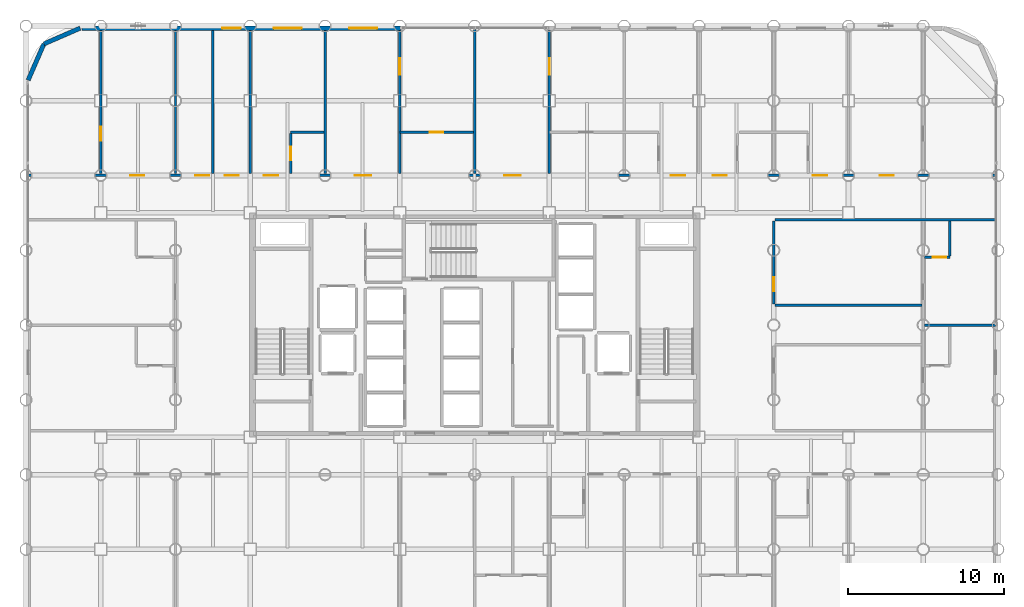
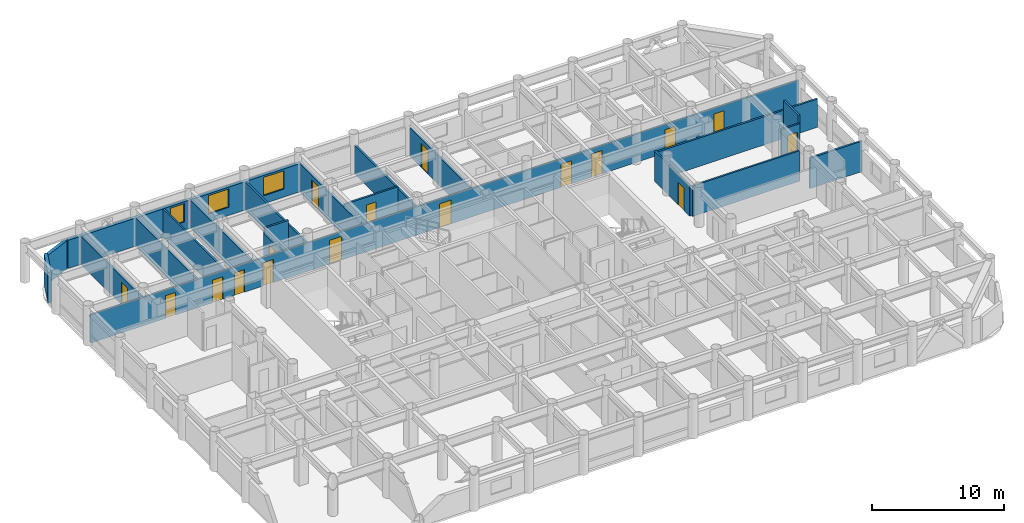
# One storey, part 18 of 20: 21 walls, 17 doors, 3 windows, 20 openings.
"""IFC4 building model written with IfcOpenShell, lengths in metres."""

from ifc_helpers import new_model, si_unit, direction, frame, frame_2d, origin, place, context, subcontext, project, spatial, rectangle, extrude, material, layer, layer_set, type_object, element, fill, save


model = new_model("IFC4")

# Units and contexts
model_context = context("Model", 3, precision=1e-05, world=origin(), true_north=direction((0.0, 1.0)))
body_context = subcontext(model_context, "Body", "Model", "MODEL_VIEW")
ifc_project = project(units=[si_unit("LENGTHUNIT", "METRE"), si_unit("AREAUNIT", "SQUARE_METRE"), si_unit("VOLUMEUNIT", "CUBIC_METRE"), si_unit("PLANEANGLEUNIT", "RADIAN"), si_unit("MASSUNIT", "GRAM", prefix="KILO")], contexts=[model_context])

# Site, building, storey
site_placement = place(None, origin())
site = spatial("IfcSite", under=ifc_project, at=site_placement, CompositionType="ELEMENT")
building_placement = place(site_placement, origin())
building = spatial("IfcBuilding", under=site, at=building_placement, Name="Kallvorn Hotel Tower", CompositionType="ELEMENT")
storey_placement = place(building_placement, frame((0.0, 0.0, 70.699951171875)))
storey = spatial("IfcBuildingStorey", under=building, at=storey_placement, Name="L16", CompositionType="ELEMENT", Elevation=70.699951171875)

# Wall
ifc_material_1 = material(Name="Fire-rated double-layer acoustic gypsum drywall EI 60")
ifc_layer_1 = layer(ifc_material_1, 0.159912109375)
ifc_layer_set_1 = layer_set([ifc_layer_1], Name="WL_DEMISE_160")
wall_type_1 = type_object("IfcWallType", Name="WL_DEMISE_160", PredefinedType="PARTITIONING", material=ifc_layer_set_1)
wall_1_placement = place(storey_placement, frame((28.8798828125, 0.0, 0.0), z_axis=(0.0, 0.0, 1.0), x_axis=(1.0, 0.0, 0.0)))
element("IfcWall", 1, at=wall_1_placement, inside=storey, type_object=wall_type_1, Name="L16 Suite 1604 E Andean Twin Room Partition", PredefinedType="PARTITIONING", context=body_context, shape_type="SweptSolid", body=[
    extrude(rectangle(XDim=4.550048828125, YDim=0.159912109375, at=frame_2d((2.27490234375, 0.0))), origin(), (0.0, 0.0, 1.0), 2.820068359375),
])

# Wall, opening, door
wall_2_placement = place(storey_placement, frame((28.8798828125, 4.35009765625, 0.0), z_axis=(0.0, 0.0, 1.0), x_axis=(1.0, 0.0, 0.0)))
wall_2 = element("IfcWall", 2, at=wall_2_placement, inside=storey, type_object=wall_type_1, Name="L16 Suite 1604 E Andean Twin Room Partition", PredefinedType="PARTITIONING", context=body_context, shape_type="SweptSolid", body=[
    extrude(rectangle(XDim=1.6201171875, YDim=0.159912109375, at=frame_2d((0.81005859375, 0.0))), origin(), (0.0, 0.0, 1.0), 2.820068359375),
])
opening_1_placement = place(wall_2_placement, frame((0.5400390625, 0.0, 0.0)))
opening_1 = element("IfcOpeningElement", 3, at=opening_1_placement, cuts=wall_2, Name="Opening BD-I", PredefinedType="OPENING", context=body_context, shape_type="SweptSolid", body=[
    extrude(rectangle(XDim=0.860107421875, YDim=2.10009765625, at=frame_2d((0.43017578125, 1.050048828125))), frame((0.0, 0.094970703125, 0.0), z_axis=(0.0, -1.0, 0.0), x_axis=(1.0, 0.0, 0.0)), (0.0, 0.0, 1.0), 0.18994140625),
])
ifc_material_2 = material(Name="Solid-core walnut veneer fire-rated timber door leaf", Category="wood")
door_type_1 = type_object("IfcDoorType", Name="DR_BATH_860x2100", OperationType="NOTDEFINED", PredefinedType="DOOR", material=ifc_material_2)
door_1_placement = place(opening_1_placement, origin())
door_1 = element("IfcDoor", 4, at=door_1_placement, inside=storey, type_object=door_type_1, Name="L16 Suite 1604 En-Suite Bathroom Door", OperationType="SINGLE_SWING_LEFT", OverallHeight=2.10009765625, OverallWidth=0.860107421875, PredefinedType="DOOR", context=body_context, shape_type="SweptSolid", body=[
    extrude(rectangle(XDim=0.860107421875, YDim=2.10009765625, at=frame_2d((0.43017578125, 1.050048828125))), frame((0.0, 0.02490234375, 0.0), z_axis=(0.0, -1.0, 0.0), x_axis=(1.0, 0.0, 0.0)), (0.0, 0.0, 1.0), 0.050048828125),
])
fill(opening_1, door_1)

# Wall
wall_3_placement = place(storey_placement, frame((19.280029296875, 6.75830078125, 0.0), z_axis=(0.0, 0.0, 1.0), x_axis=(1.0, 0.0, 0.0)))
element("IfcWall", 5, at=wall_3_placement, inside=storey, type_object=wall_type_1, Name="L16 Suite 1604 E Andean Twin Room Partition", PredefinedType="PARTITIONING", context=body_context, shape_type="SweptSolid", body=[
    extrude(rectangle(XDim=14.14990234375, YDim=0.159912109375, at=frame_2d((7.074951171875, 0.0))), origin(), (0.0, 0.0, 1.0), 2.6201171875),
])

# Wall, openings, doors
wall_4_placement = place(storey_placement, frame((-28.6298828125, 9.60009765625, 0.0), z_axis=(0.0, 0.0, 1.0), x_axis=(1.0, 0.0, 0.0)))
wall_4 = element("IfcWall", 6, at=wall_4_placement, inside=storey, type_object=wall_type_1, Name="L16 Suite 1609 Standard Twin Room Partition", PredefinedType="PARTITIONING", context=body_context, shape_type="SweptSolid", body=[
    extrude(rectangle(XDim=62.059814453125, YDim=0.159912109375, at=frame_2d((31.02978515625, 0.0))), origin(), (0.0, 0.0, 1.0), 2.6201171875),
])
opening_2_placement = place(wall_4_placement, frame((6.5400390625, 0.0, 0.0)))
opening_2 = element("IfcOpeningElement", 7, at=opening_2_placement, cuts=wall_4, Name="Opening SVD1", PredefinedType="OPENING", context=body_context, shape_type="SweptSolid", body=[
    extrude(rectangle(XDim=0.89990234375, YDim=2.10009765625, at=frame_2d((0.449951171875, 1.050048828125))), frame((0.0, 0.094970703125, 0.0), z_axis=(0.0, -1.0, 0.0), x_axis=(1.0, 0.0, 0.0)), (0.0, 0.0, 1.0), 0.18994140625),
])
opening_3_placement = place(wall_4_placement, frame((54.6201171875, 0.0, 0.0)))
opening_3 = element("IfcOpeningElement", 8, at=opening_3_placement, cuts=wall_4, Name="Opening SVD1", PredefinedType="OPENING", context=body_context, shape_type="SweptSolid", body=[
    extrude(rectangle(XDim=0.89990234375, YDim=2.10009765625, at=frame_2d((0.449951171875, 1.050048828125))), frame((0.0, 0.094970703125, 0.0), z_axis=(0.0, -1.0, 0.0), x_axis=(1.0, 0.0, 0.0)), (0.0, 0.0, 1.0), 0.18994140625),
])
opening_4_placement = place(wall_4_placement, frame((10.68994140625, 0.0, 0.0)))
opening_4 = element("IfcOpeningElement", 9, at=opening_4_placement, cuts=wall_4, Name="Opening SVD1", PredefinedType="OPENING", context=body_context, shape_type="SweptSolid", body=[
    extrude(rectangle(XDim=0.89990234375, YDim=2.10009765625, at=frame_2d((0.449951171875, 1.050048828125))), frame((0.0, 0.094970703125, 0.0), z_axis=(0.0, -1.0, 0.0), x_axis=(1.0, 0.0, 0.0)), (0.0, 0.0, 1.0), 0.18994140625),
])
opening_5_placement = place(wall_4_placement, frame((12.580078125, 0.0, 0.0)))
opening_5 = element("IfcOpeningElement", 10, at=opening_5_placement, cuts=wall_4, Name="Opening SVD1", PredefinedType="OPENING", context=body_context, shape_type="SweptSolid", body=[
    extrude(rectangle(XDim=0.89990234375, YDim=2.10009765625, at=frame_2d((0.449951171875, 1.050048828125))), frame((0.0, 0.094970703125, 0.0), z_axis=(0.0, -1.0, 0.0), x_axis=(1.0, 0.0, 0.0)), (0.0, 0.0, 1.0), 0.18994140625),
])
opening_6_placement = place(wall_4_placement, frame((15.10498046875, 0.0, 0.0)))
opening_6 = element("IfcOpeningElement", 11, at=opening_6_placement, cuts=wall_4, Name="Opening GD1", PredefinedType="OPENING", context=body_context, shape_type="SweptSolid", body=[
    extrude(rectangle(XDim=0.919921875, YDim=2.14990234375, at=frame_2d((0.4599609375, 1.074951171875))), frame((0.0, 0.094970703125, 0.0), z_axis=(0.0, -1.0, 0.0), x_axis=(1.0, 0.0, 0.0)), (0.0, 0.0, 1.0), 0.18994140625),
])
opening_7_placement = place(wall_4_placement, frame((20.945068359375, 0.0, 0.0)))
opening_7 = element("IfcOpeningElement", 12, at=opening_7_placement, cuts=wall_4, Name="Opening GD2", PredefinedType="OPENING", context=body_context, shape_type="SweptSolid", body=[
    extrude(rectangle(XDim=1.050048828125, YDim=2.199951171875, at=frame_2d((0.52490234375, 1.10009765625))), frame((0.0, 0.094970703125, 0.0), z_axis=(0.0, -1.0, 0.0), x_axis=(1.0, 0.0, 0.0)), (0.0, 0.0, 1.0), 0.18994140625),
])
opening_8_placement = place(wall_4_placement, frame((30.544921875, 0.0, 0.0)))
opening_8 = element("IfcOpeningElement", 13, at=opening_8_placement, cuts=wall_4, Name="Opening GD2", PredefinedType="OPENING", context=body_context, shape_type="SweptSolid", body=[
    extrude(rectangle(XDim=1.050048828125, YDim=2.199951171875, at=frame_2d((0.52490234375, 1.10009765625))), frame((0.0, 0.094970703125, 0.0), z_axis=(0.0, -1.0, 0.0), x_axis=(1.0, 0.0, 0.0)), (0.0, 0.0, 1.0), 0.18994140625),
])
opening_9_placement = place(wall_4_placement, frame((41.235107421875, 0.0, 0.0)))
opening_9 = element("IfcOpeningElement", 14, at=opening_9_placement, cuts=wall_4, Name="Opening GD1", PredefinedType="OPENING", context=body_context, shape_type="SweptSolid", body=[
    extrude(rectangle(XDim=0.919921875, YDim=2.14990234375, at=frame_2d((0.4599609375, 1.074951171875))), frame((0.0, 0.094970703125, 0.0), z_axis=(0.0, -1.0, 0.0), x_axis=(1.0, 0.0, 0.0)), (0.0, 0.0, 1.0), 0.18994140625),
])
opening_10_placement = place(wall_4_placement, frame((43.905029296875, 0.0, 0.0)))
opening_10 = element("IfcOpeningElement", 15, at=opening_10_placement, cuts=wall_4, Name="Opening GD1", PredefinedType="OPENING", context=body_context, shape_type="SweptSolid", body=[
    extrude(rectangle(XDim=0.919921875, YDim=2.14990234375, at=frame_2d((0.4599609375, 1.074951171875))), frame((0.0, 0.094970703125, 0.0), z_axis=(0.0, -1.0, 0.0), x_axis=(1.0, 0.0, 0.0)), (0.0, 0.0, 1.0), 0.18994140625),
])
opening_11_placement = place(wall_4_placement, frame((50.340087890625, 0.0, 0.0)))
opening_11 = element("IfcOpeningElement", 16, at=opening_11_placement, cuts=wall_4, Name="Opening GD1", PredefinedType="OPENING", context=body_context, shape_type="SweptSolid", body=[
    extrude(rectangle(XDim=0.919921875, YDim=2.14990234375, at=frame_2d((0.4599609375, 1.074951171875))), frame((0.0, 0.094970703125, 0.0), z_axis=(0.0, -1.0, 0.0), x_axis=(1.0, 0.0, 0.0)), (0.0, 0.0, 1.0), 0.18994140625),
])
ifc_material_3 = material(Name="Solid-core walnut veneer fire-rated timber door leaf", Category="wood")
door_type_2 = type_object("IfcDoorType", Name="DR_GUEST_920x2150", OperationType="NOTDEFINED", PredefinedType="DOOR", material=ifc_material_3)
door_2_placement = place(opening_6_placement, origin())
door_2 = element("IfcDoor", 17, at=door_2_placement, inside=storey, type_object=door_type_2, Name="L16 Suite 1609 Standard Twin Room Door", OperationType="SINGLE_SWING_LEFT", OverallHeight=2.14990234375, OverallWidth=0.919921875, PredefinedType="DOOR", context=body_context, shape_type="SweptSolid", body=[
    extrude(rectangle(XDim=0.919921875, YDim=2.14990234375, at=frame_2d((0.4599609375, 1.074951171875))), frame((0.0, 0.02490234375, 0.0), z_axis=(0.0, -1.0, 0.0), x_axis=(1.0, 0.0, 0.0)), (0.0, 0.0, 1.0), 0.050048828125),
])
fill(opening_6, door_2)
door_3_placement = place(opening_9_placement, origin())
door_3 = element("IfcDoor", 18, at=door_3_placement, inside=storey, type_object=door_type_2, Name="L16 Suite 1612 Standard Twin Room Door", OperationType="SINGLE_SWING_LEFT", OverallHeight=2.14990234375, OverallWidth=0.919921875, PredefinedType="DOOR", context=body_context, shape_type="SweptSolid", body=[
    extrude(rectangle(XDim=0.919921875, YDim=2.14990234375, at=frame_2d((0.4599609375, 1.074951171875))), frame((0.0, 0.02490234375, 0.0), z_axis=(0.0, -1.0, 0.0), x_axis=(1.0, 0.0, 0.0)), (0.0, 0.0, 1.0), 0.050048828125),
])
fill(opening_9, door_3)
door_4_placement = place(opening_10_placement, origin())
door_4 = element("IfcDoor", 19, at=door_4_placement, inside=storey, type_object=door_type_2, Name="L16 Suite 1613 Standard Twin Room Door", OperationType="SINGLE_SWING_LEFT", OverallHeight=2.14990234375, OverallWidth=0.919921875, PredefinedType="DOOR", context=body_context, shape_type="SweptSolid", body=[
    extrude(rectangle(XDim=0.919921875, YDim=2.14990234375, at=frame_2d((0.4599609375, 1.074951171875))), frame((0.0, 0.02490234375, 0.0), z_axis=(0.0, -1.0, 0.0), x_axis=(1.0, 0.0, 0.0)), (0.0, 0.0, 1.0), 0.050048828125),
])
fill(opening_10, door_4)
door_5_placement = place(opening_11_placement, origin())
door_5 = element("IfcDoor", 20, at=door_5_placement, inside=storey, type_object=door_type_2, Name="L16 Suite 1614 Standard Twin Room Door", OperationType="SINGLE_SWING_RIGHT", OverallHeight=2.14990234375, OverallWidth=0.919921875, PredefinedType="DOOR", context=body_context, shape_type="SweptSolid", body=[
    extrude(rectangle(XDim=0.919921875, YDim=2.14990234375, at=frame_2d((0.4599609375, 1.074951171875))), frame((0.0, 0.02490234375, 0.0), z_axis=(0.0, -1.0, 0.0), x_axis=(1.0, 0.0, 0.0)), (0.0, 0.0, 1.0), 0.050048828125),
])
fill(opening_11, door_5)
ifc_material_4 = material(Name="Galvanised painted steel fire-rated door assembly", Category="steel")
door_type_3 = type_object("IfcDoorType", Name="DR_SERV_900x2100", OperationType="NOTDEFINED", PredefinedType="DOOR", material=ifc_material_4)
door_6_placement = place(opening_2_placement, origin())
door_6 = element("IfcDoor", 21, at=door_6_placement, inside=storey, type_object=door_type_3, Name="L16 L16 North-West Fitness Gymnasium B Door", OperationType="SINGLE_SWING_LEFT", OverallHeight=2.10009765625, OverallWidth=0.89990234375, PredefinedType="DOOR", context=body_context, shape_type="SweptSolid", body=[
    extrude(rectangle(XDim=0.89990234375, YDim=2.10009765625, at=frame_2d((0.449951171875, 1.050048828125))), frame((0.0, 0.02490234375, 0.0), z_axis=(0.0, -1.0, 0.0), x_axis=(1.0, 0.0, 0.0)), (0.0, 0.0, 1.0), 0.050048828125),
])
fill(opening_2, door_6)
door_7_placement = place(opening_3_placement, origin())
door_7 = element("IfcDoor", 22, at=door_7_placement, inside=storey, type_object=door_type_3, Name="L16 L16 North-East Reading Club A Door", OperationType="SINGLE_SWING_LEFT", OverallHeight=2.10009765625, OverallWidth=0.89990234375, PredefinedType="DOOR", context=body_context, shape_type="SweptSolid", body=[
    extrude(rectangle(XDim=0.89990234375, YDim=2.10009765625, at=frame_2d((0.449951171875, 1.050048828125))), frame((0.0, 0.02490234375, 0.0), z_axis=(0.0, -1.0, 0.0), x_axis=(1.0, 0.0, 0.0)), (0.0, 0.0, 1.0), 0.050048828125),
])
fill(opening_3, door_7)
door_8_placement = place(opening_4_placement, origin())
door_8 = element("IfcDoor", 23, at=door_8_placement, inside=storey, type_object=door_type_3, Name="L16 Housekeeping and Linen Room Door", OperationType="SINGLE_SWING_RIGHT", OverallHeight=2.10009765625, OverallWidth=0.89990234375, PredefinedType="DOOR", context=body_context, shape_type="SweptSolid", body=[
    extrude(rectangle(XDim=0.89990234375, YDim=2.10009765625, at=frame_2d((0.449951171875, 1.050048828125))), frame((0.0, 0.02490234375, 0.0), z_axis=(0.0, -1.0, 0.0), x_axis=(1.0, 0.0, 0.0)), (0.0, 0.0, 1.0), 0.050048828125),
])
fill(opening_4, door_8)
door_9_placement = place(opening_5_placement, origin())
door_9 = element("IfcDoor", 24, at=door_9_placement, inside=storey, type_object=door_type_3, Name="L16 Guest Tea and Refreshment Bar Door", OperationType="SINGLE_SWING_LEFT", OverallHeight=2.10009765625, OverallWidth=0.89990234375, PredefinedType="DOOR", context=body_context, shape_type="SweptSolid", body=[
    extrude(rectangle(XDim=0.89990234375, YDim=2.10009765625, at=frame_2d((0.449951171875, 1.050048828125))), frame((0.0, 0.02490234375, 0.0), z_axis=(0.0, -1.0, 0.0), x_axis=(1.0, 0.0, 0.0)), (0.0, 0.0, 1.0), 0.050048828125),
])
fill(opening_5, door_9)
ifc_material_5 = material(Name="Solid-core walnut veneer fire-rated timber door leaf", Category="wood")
door_type_4 = type_object("IfcDoorType", Name="DR_SUITE_1050x2200", OperationType="NOTDEFINED", PredefinedType="DOOR", material=ifc_material_5)
door_10_placement = place(opening_7_placement, origin())
door_10 = element("IfcDoor", 25, at=door_10_placement, inside=storey, type_object=door_type_4, Name="L16 Suite 1610 Junior Living Salon Door", OperationType="SINGLE_SWING_RIGHT", OverallHeight=2.199951171875, OverallWidth=1.050048828125, PredefinedType="DOOR", context=body_context, shape_type="SweptSolid", body=[
    extrude(rectangle(XDim=1.050048828125, YDim=2.199951171875, at=frame_2d((0.52490234375, 1.10009765625))), frame((0.0, 0.02490234375, 0.0), z_axis=(0.0, -1.0, 0.0), x_axis=(1.0, 0.0, 0.0)), (0.0, 0.0, 1.0), 0.050048828125),
])
fill(opening_7, door_10)
door_11_placement = place(opening_8_placement, origin())
door_11 = element("IfcDoor", 26, at=door_11_placement, inside=storey, type_object=door_type_4, Name="L16 Suite 1611 Junior Living Salon Door", OperationType="SINGLE_SWING_LEFT", OverallHeight=2.199951171875, OverallWidth=1.050048828125, PredefinedType="DOOR", context=body_context, shape_type="SweptSolid", body=[
    extrude(rectangle(XDim=1.050048828125, YDim=2.199951171875, at=frame_2d((0.52490234375, 1.10009765625))), frame((0.0, 0.02490234375, 0.0), z_axis=(0.0, -1.0, 0.0), x_axis=(1.0, 0.0, 0.0)), (0.0, 0.0, 1.0), 0.050048828125),
])
fill(opening_8, door_11)

# Wall
wall_5_placement = place(storey_placement, frame((-11.81005859375, 12.3701171875, 0.0), z_axis=(0.0, 0.0, 1.0), x_axis=(1.0, 0.0, 0.0)))
element("IfcWall", 27, at=wall_5_placement, inside=storey, type_object=wall_type_1, Name="L16 Suite 1609 Standard Twin Room Partition", PredefinedType="PARTITIONING", context=body_context, shape_type="SweptSolid", body=[
    extrude(rectangle(XDim=2.130126953125, YDim=0.159912109375, at=frame_2d((1.06494140625, 0.0))), origin(), (0.0, 0.0, 1.0), 3.070068359375),
])

# Wall, opening, door
wall_6_placement = place(storey_placement, frame((-4.800048828125, 12.3701171875, 0.0), z_axis=(0.0, 0.0, 1.0), x_axis=(1.0, 0.0, 0.0)))
wall_6 = element("IfcWall", 28, at=wall_6_placement, inside=storey, type_object=wall_type_1, Name="L16 Suite 1610 Junior Bedroom Partition", PredefinedType="PARTITIONING", context=body_context, shape_type="SweptSolid", body=[
    extrude(rectangle(XDim=4.719970703125, YDim=0.159912109375, at=frame_2d((2.35986328125, 0.0))), origin(), (0.0, 0.0, 1.0), 2.820068359375),
])
opening_12_placement = place(wall_6_placement, frame((1.929931640625, 0.0, 0.0)))
opening_12 = element("IfcOpeningElement", 29, at=opening_12_placement, cuts=wall_6, Name="Opening BD-I", PredefinedType="OPENING", context=body_context, shape_type="SweptSolid", body=[
    extrude(rectangle(XDim=0.860107421875, YDim=2.10009765625, at=frame_2d((0.43017578125, 1.050048828125))), frame((0.0, 0.094970703125, 0.0), z_axis=(0.0, -1.0, 0.0), x_axis=(1.0, 0.0, 0.0)), (0.0, 0.0, 1.0), 0.18994140625),
])
door_12_placement = place(opening_12_placement, origin())
door_12 = element("IfcDoor", 30, at=door_12_placement, inside=storey, type_object=door_type_1, Name="L16 Suite 1610 En-Suite Bathroom Door", OperationType="SINGLE_SWING_RIGHT", OverallHeight=2.10009765625, OverallWidth=0.860107421875, PredefinedType="DOOR", context=body_context, shape_type="SweptSolid", body=[
    extrude(rectangle(XDim=0.860107421875, YDim=2.10009765625, at=frame_2d((0.43017578125, 1.050048828125))), frame((0.0, 0.02490234375, 0.0), z_axis=(0.0, -1.0, 0.0), x_axis=(1.0, 0.0, 0.0)), (0.0, 0.0, 1.0), 0.050048828125),
])
fill(opening_12, door_12)

# Wall
wall_7_placement = place(storey_placement, frame((-14.39990234375, 9.719970703125, 0.0), z_axis=(0.0, 0.0, 1.0), x_axis=(0.0, 1.0, 0.0)))
element("IfcWall", 31, at=wall_7_placement, inside=storey, type_object=wall_type_1, Name="L16 Suite 1609 Standard Twin Room Partition", PredefinedType="PARTITIONING", context=body_context, shape_type="SweptSolid", body=[
    extrude(rectangle(XDim=9.18994140625, YDim=0.159912109375, at=frame_2d((4.594970703125, 0.0))), origin(), (0.0, 0.0, 1.0), 2.6201171875),
])

# Wall, opening, door
wall_8_placement = place(storey_placement, frame((-11.81005859375, 9.719970703125, 0.0), z_axis=(0.0, 0.0, 1.0), x_axis=(0.0, 1.0, 0.0)))
wall_8 = element("IfcWall", 32, at=wall_8_placement, inside=storey, type_object=wall_type_1, Name="L16 Suite 1609 Standard Twin Room Partition", PredefinedType="PARTITIONING", context=body_context, shape_type="SweptSolid", body=[
    extrude(rectangle(XDim=2.56494140625, YDim=0.159912109375, at=frame_2d((1.282470703125, 0.0))), origin(), (0.0, 0.0, 1.0), 2.6201171875),
])
opening_13_placement = place(wall_8_placement, frame((0.8701171875, 0.0, 0.0)))
opening_13 = element("IfcOpeningElement", 33, at=opening_13_placement, cuts=wall_8, Name="Opening BD-I", PredefinedType="OPENING", context=body_context, shape_type="SweptSolid", body=[
    extrude(rectangle(XDim=0.860107421875, YDim=2.10009765625, at=frame_2d((0.43017578125, 1.050048828125))), frame((0.0, 0.094970703125, 0.0), z_axis=(0.0, -1.0, 0.0), x_axis=(1.0, 0.0, 0.0)), (0.0, 0.0, 1.0), 0.18994140625),
])
door_13_placement = place(opening_13_placement, origin())
door_13 = element("IfcDoor", 34, at=door_13_placement, inside=storey, type_object=door_type_1, Name="L16 Suite 1609 En-Suite Bathroom Door", OperationType="SINGLE_SWING_RIGHT", OverallHeight=2.10009765625, OverallWidth=0.860107421875, PredefinedType="DOOR", context=body_context, shape_type="SweptSolid", body=[
    extrude(rectangle(XDim=0.860107421875, YDim=2.10009765625, at=frame_2d((0.43017578125, 1.050048828125))), frame((0.0, 0.02490234375, 0.0), z_axis=(0.0, -1.0, 0.0), x_axis=(1.0, 0.0, 0.0)), (0.0, 0.0, 1.0), 0.050048828125),
])
fill(opening_13, door_13)

# Wall
wall_9_placement = place(storey_placement, frame((-9.60009765625, 9.719970703125, 0.0), z_axis=(0.0, 0.0, 1.0), x_axis=(0.0, 1.0, 0.0)))
element("IfcWall", 35, at=wall_9_placement, inside=storey, type_object=wall_type_1, Name="L16 Suite 1610 Junior Living Salon Partition", PredefinedType="PARTITIONING", context=body_context, shape_type="SweptSolid", body=[
    extrude(rectangle(XDim=9.18994140625, YDim=0.159912109375, at=frame_2d((4.594970703125, 0.0))), origin(), (0.0, 0.0, 1.0), 2.6201171875),
])

# Wall, opening, door
wall_10_placement = place(storey_placement, frame((-4.800048828125, 9.719970703125, 0.0), z_axis=(0.0, 0.0, 1.0), x_axis=(0.0, 1.0, 0.0)))
wall_10 = element("IfcWall", 36, at=wall_10_placement, inside=storey, type_object=wall_type_1, Name="L16 Suite 1610 Junior Living Salon Partition", PredefinedType="PARTITIONING", context=body_context, shape_type="SweptSolid", body=[
    extrude(rectangle(XDim=9.18994140625, YDim=0.159912109375, at=frame_2d((4.594970703125, 0.0))), origin(), (0.0, 0.0, 1.0), 2.6201171875),
])
opening_14_placement = place(wall_10_placement, frame((6.346923828125, 0.0, 0.0)))
opening_14 = element("IfcOpeningElement", 37, at=opening_14_placement, cuts=wall_10, Name="Opening GD2", PredefinedType="OPENING", context=body_context, shape_type="SweptSolid", body=[
    extrude(rectangle(XDim=1.050048828125, YDim=2.199951171875, at=frame_2d((0.52490234375, 1.10009765625))), frame((0.0, 0.094970703125, 0.0), z_axis=(0.0, -1.0, 0.0), x_axis=(1.0, 0.0, 0.0)), (0.0, 0.0, 1.0), 0.18994140625),
])
door_14_placement = place(opening_14_placement, origin())
door_14 = element("IfcDoor", 38, at=door_14_placement, inside=storey, type_object=door_type_4, Name="L16 Suite 1610 Junior Bedroom Door", OperationType="SINGLE_SWING_LEFT", OverallHeight=2.199951171875, OverallWidth=1.050048828125, PredefinedType="DOOR", context=body_context, shape_type="SweptSolid", body=[
    extrude(rectangle(XDim=1.050048828125, YDim=2.199951171875, at=frame_2d((0.52490234375, 1.10009765625))), frame((0.0, 0.02490234375, 0.0), z_axis=(0.0, -1.0, 0.0), x_axis=(1.0, 0.0, 0.0)), (0.0, 0.0, 1.0), 0.050048828125),
])
fill(opening_14, door_14)

# Wall
wall_11_placement = place(storey_placement, frame((0.0, 9.719970703125, 0.0), z_axis=(0.0, 0.0, 1.0), x_axis=(0.0, 1.0, 0.0)))
element("IfcWall", 39, at=wall_11_placement, inside=storey, type_object=wall_type_1, Name="L16 Suite 1611 Junior Living Salon Partition", PredefinedType="PARTITIONING", context=body_context, shape_type="SweptSolid", body=[
    extrude(rectangle(XDim=9.275146484375, YDim=0.159912109375, at=frame_2d((4.6376953125, 0.0))), origin(), (0.0, 0.0, 1.0), 2.6201171875),
])

# Wall, opening, door
wall_12_placement = place(storey_placement, frame((4.800048828125, 9.719970703125, 0.0), z_axis=(0.0, 0.0, 1.0), x_axis=(0.0, 1.0, 0.0)))
wall_12 = element("IfcWall", 40, at=wall_12_placement, inside=storey, type_object=wall_type_1, Name="L16 Suite 1611 Junior Living Salon Partition", PredefinedType="PARTITIONING", context=body_context, shape_type="SweptSolid", body=[
    extrude(rectangle(XDim=9.18994140625, YDim=0.159912109375, at=frame_2d((4.594970703125, 0.0))), origin(), (0.0, 0.0, 1.0), 2.6201171875),
])
opening_15_placement = place(wall_12_placement, frame((6.346923828125, 0.0, 0.0)))
opening_15 = element("IfcOpeningElement", 41, at=opening_15_placement, cuts=wall_12, Name="Opening GD2", PredefinedType="OPENING", context=body_context, shape_type="SweptSolid", body=[
    extrude(rectangle(XDim=1.050048828125, YDim=2.199951171875, at=frame_2d((0.52490234375, 1.10009765625))), frame((0.0, 0.094970703125, 0.0), z_axis=(0.0, -1.0, 0.0), x_axis=(1.0, 0.0, 0.0)), (0.0, 0.0, 1.0), 0.18994140625),
])
door_15_placement = place(opening_15_placement, origin())
door_15 = element("IfcDoor", 42, at=door_15_placement, inside=storey, type_object=door_type_4, Name="L16 Suite 1611 Junior Bedroom Door", OperationType="SINGLE_SWING_LEFT", OverallHeight=2.199951171875, OverallWidth=1.050048828125, PredefinedType="DOOR", context=body_context, shape_type="SweptSolid", body=[
    extrude(rectangle(XDim=1.050048828125, YDim=2.199951171875, at=frame_2d((0.52490234375, 1.10009765625))), frame((0.0, 0.02490234375, 0.0), z_axis=(0.0, -1.0, 0.0), x_axis=(1.0, 0.0, 0.0)), (0.0, 0.0, 1.0), 0.050048828125),
])
fill(opening_15, door_15)

# Walls
wall_13_placement = place(storey_placement, frame((30.5, 4.43505859375, 0.0), z_axis=(0.0, 0.0, 1.0), x_axis=(0.0, 1.0, 0.0)))
element("IfcWall", 43, at=wall_13_placement, inside=storey, type_object=wall_type_1, Name="L16 Suite 1604 E Andean Twin Room Partition", PredefinedType="PARTITIONING", context=body_context, shape_type="SweptSolid", body=[
    extrude(rectangle(XDim=2.23828125, YDim=0.159912109375, at=frame_2d((1.119140625, 0.0))), origin(), (0.0, 0.0, 1.0), 3.52001953125),
])
ifc_material_6 = material(Name="Precast basalt-clad insulated concrete wall C40/50", Category="masonry")
ifc_layer_2 = layer(ifc_material_6, 0.280029296875)
ifc_layer_set_2 = layer_set([ifc_layer_2], Name="WL_EXT_LOGGIA_280")
wall_type_2 = type_object("IfcWallType", Name="WL_EXT_LOGGIA_280", PredefinedType="SOLIDWALL", material=ifc_layer_set_2)
wall_14_placement = place(storey_placement, frame((-25.32080078125, 19.057861328125, 0.0), z_axis=(0.0, 0.0, 1.0), x_axis=(-0.917060872934, -0.398747232384, 0.0)))
element("IfcWall", 44, at=wall_14_placement, inside=storey, type_object=wall_type_2, Name="L16 Rounded Corner Exterior Wall NW1", PredefinedType="SOLIDWALL", context=body_context, shape_type="SweptSolid", body=[
    extrude(rectangle(XDim=2.5361328125, YDim=0.280029296875, at=frame_2d((1.26806640625, 0.0))), origin(), (0.0, 0.0, 1.0), 2.6201171875),
])
wall_15_placement = place(storey_placement, frame((-27.646484375, 18.046630859375, 0.0), z_axis=(0.0, 0.0, 1.0), x_axis=(-0.398792985289, -0.917040977756, 0.0)))
element("IfcWall", 45, at=wall_15_placement, inside=storey, type_object=wall_type_2, Name="L16 Rounded Corner Exterior Wall NW2", PredefinedType="SOLIDWALL", context=body_context, shape_type="SweptSolid", body=[
    extrude(rectangle(XDim=2.536376953125, YDim=0.280029296875, at=frame_2d((1.26806640625, 0.0))), origin(), (0.0, 0.0, 1.0), 2.820068359375),
])

# Wall, openings, windows
wall_16_placement = place(storey_placement, frame((-25.199951171875, 19.06005859375, 0.0), z_axis=(0.0, 0.0, 1.0), x_axis=(1.0, 0.0, 0.0)))
wall_16 = element("IfcWall", 46, at=wall_16_placement, inside=storey, type_object=wall_type_2, Name="L16 Exterior Envelope Wall EW-L16-NW", PredefinedType="SOLIDWALL", context=body_context, shape_type="SweptSolid", body=[
    extrude(rectangle(XDim=20.449951171875, YDim=0.280029296875, at=frame_2d((10.22509765625, 0.0))), origin(), (0.0, 0.0, 1.0), 2.6201171875),
])
opening_16_placement = place(wall_16_placement, frame((9.0, 0.0, 0.75)))
opening_16 = element("IfcOpeningElement", 47, at=opening_16_placement, cuts=wall_16, Name="Opening W06", PredefinedType="OPENING", context=body_context, shape_type="SweptSolid", body=[
    extrude(rectangle(XDim=1.199951171875, YDim=1.699951171875, at=frame_2d((0.60009765625, 0.85009765625))), frame((0.0, 0.155029296875, 0.0), z_axis=(0.0, -1.0, 0.0), x_axis=(1.0, 0.0, 0.0)), (0.0, 0.0, 1.0), 0.31005859375),
])
opening_17_placement = place(wall_16_placement, frame((12.300048828125, 0.0, 0.75)))
opening_17 = element("IfcOpeningElement", 48, at=opening_17_placement, cuts=wall_16, Name="Opening W04", PredefinedType="OPENING", context=body_context, shape_type="SweptSolid", body=[
    extrude(rectangle(XDim=1.800048828125, YDim=1.699951171875, at=frame_2d((0.89990234375, 0.85009765625))), frame((0.0, 0.155029296875, 0.0), z_axis=(0.0, -1.0, 0.0), x_axis=(1.0, 0.0, 0.0)), (0.0, 0.0, 1.0), 0.31005859375),
])
opening_18_placement = place(wall_16_placement, frame((17.139892578125, 0.0, 0.75)))
opening_18 = element("IfcOpeningElement", 49, at=opening_18_placement, cuts=wall_16, Name="Opening W04", PredefinedType="OPENING", context=body_context, shape_type="SweptSolid", body=[
    extrude(rectangle(XDim=1.800048828125, YDim=1.699951171875, at=frame_2d((0.89990234375, 0.85009765625))), frame((0.0, 0.155029296875, 0.0), z_axis=(0.0, -1.0, 0.0), x_axis=(1.0, 0.0, 0.0)), (0.0, 0.0, 1.0), 0.31005859375),
])
ifc_material_7 = material(Name="Triple-glazed low-e acoustic solar-control dark glass", Category="glass")
window_type_1 = type_object("IfcWindowType", Name="WN_HTL_1200x1700", PartitioningType="SINGLE_PANEL", PredefinedType="WINDOW", material=ifc_material_7)
window_1_placement = place(opening_16_placement, origin())
window_1 = element("IfcWindow", 50, at=window_1_placement, inside=storey, type_object=window_type_1, Name="L16 Guestroom Exterior Window 08", OverallHeight=1.699951171875, OverallWidth=1.199951171875, PartitioningType="SINGLE_PANEL", PredefinedType="WINDOW", context=body_context, shape_type="SweptSolid", body=[
    extrude(rectangle(XDim=1.199951171875, YDim=1.699951171875, at=frame_2d((0.60009765625, 0.85009765625))), frame((0.0, 0.030029296875, 0.0), z_axis=(0.0, -1.0, 0.0), x_axis=(1.0, 0.0, 0.0)), (0.0, 0.0, 1.0), 0.06005859375),
])
fill(opening_16, window_1)
ifc_material_8 = material(Name="Double-glazed low-e solar-control dark glass", Category="glass")
window_type_2 = type_object("IfcWindowType", Name="WN_HTL_1800x1700", PartitioningType="SINGLE_PANEL", PredefinedType="WINDOW", material=ifc_material_8)
window_2_placement = place(opening_17_placement, origin())
window_2 = element("IfcWindow", 51, at=window_2_placement, inside=storey, type_object=window_type_2, Name="L16 Guestroom Exterior Window 09", OverallHeight=1.699951171875, OverallWidth=1.800048828125, PartitioningType="SINGLE_PANEL", PredefinedType="WINDOW", context=body_context, shape_type="SweptSolid", body=[
    extrude(rectangle(XDim=1.800048828125, YDim=1.699951171875, at=frame_2d((0.89990234375, 0.85009765625))), frame((0.0, 0.030029296875, 0.0), z_axis=(0.0, -1.0, 0.0), x_axis=(1.0, 0.0, 0.0)), (0.0, 0.0, 1.0), 0.06005859375),
])
fill(opening_17, window_2)
window_3_placement = place(opening_18_placement, origin())
window_3 = element("IfcWindow", 52, at=window_3_placement, inside=storey, type_object=window_type_2, Name="L16 Guestroom Exterior Window 10", OverallHeight=1.699951171875, OverallWidth=1.800048828125, PartitioningType="SINGLE_PANEL", PredefinedType="WINDOW", context=body_context, shape_type="SweptSolid", body=[
    extrude(rectangle(XDim=1.800048828125, YDim=1.699951171875, at=frame_2d((0.89990234375, 0.85009765625))), frame((0.0, 0.030029296875, 0.0), z_axis=(0.0, -1.0, 0.0), x_axis=(1.0, 0.0, 0.0)), (0.0, 0.0, 1.0), 0.06005859375),
])
fill(opening_18, window_3)

# Wall
ifc_material_9 = material(Name="Fire-rated double-layer acoustic gypsum drywall EI 60")
ifc_layer_3 = layer(ifc_material_9, 0.14990234375)
ifc_layer_set_3 = layer_set([ifc_layer_3], Name="WL_PART_150")
wall_type_3 = type_object("IfcWallType", Name="WL_PART_150", PredefinedType="PARTITIONING", material=ifc_layer_set_3)
wall_17_placement = place(storey_placement, frame((19.280029296875, 1.260009765625, 0.0), z_axis=(0.0, 0.0, 1.0), x_axis=(1.0, 0.0, 0.0)))
element("IfcWall", 53, at=wall_17_placement, inside=storey, type_object=wall_type_3, Name="L16 L16 East Inner Screening Salon Partition", PredefinedType="PARTITIONING", context=body_context, shape_type="SweptSolid", body=[
    extrude(rectangle(XDim=9.43994140625, YDim=0.14990234375, at=frame_2d((4.719970703125, 0.0))), origin(), (0.0, 0.0, 1.0), 2.820068359375),
])

# Wall, opening, door
wall_18_placement = place(storey_placement, frame((-24.0, 9.719970703125, 0.0), z_axis=(0.0, 0.0, 1.0), x_axis=(0.0, 1.0, 0.0)))
wall_18 = element("IfcWall", 54, at=wall_18_placement, inside=storey, type_object=wall_type_3, Name="L16 L16 North-West Fitness Gymnasium A Partition", PredefinedType="PARTITIONING", context=body_context, shape_type="SweptSolid", body=[
    extrude(rectangle(XDim=9.18994140625, YDim=0.14990234375, at=frame_2d((4.594970703125, 0.0))), origin(), (0.0, 0.0, 1.0), 2.6201171875),
])
opening_19_placement = place(wall_18_placement, frame((2.10791015625, 0.0, 0.0)))
opening_19 = element("IfcOpeningElement", 55, at=opening_19_placement, cuts=wall_18, Name="Opening SVD1", PredefinedType="OPENING", context=body_context, shape_type="SweptSolid", body=[
    extrude(rectangle(XDim=0.89990234375, YDim=2.10009765625, at=frame_2d((0.449951171875, 1.050048828125))), frame((0.0, 0.08984375, 0.0), z_axis=(0.0, -1.0, 0.0), x_axis=(1.0, 0.0, 0.0)), (0.0, 0.0, 1.0), 0.179931640625),
])
door_16_placement = place(opening_19_placement, origin())
door_16 = element("IfcDoor", 56, at=door_16_placement, inside=storey, type_object=door_type_3, Name="L16 L16 North-West Fitness Gymnasium A Door", OperationType="SINGLE_SWING_LEFT", OverallHeight=2.10009765625, OverallWidth=0.89990234375, PredefinedType="DOOR", context=body_context, shape_type="SweptSolid", body=[
    extrude(rectangle(XDim=0.89990234375, YDim=2.10009765625, at=frame_2d((0.449951171875, 1.050048828125))), frame((0.0, 0.02490234375, 0.0), z_axis=(0.0, -1.0, 0.0), x_axis=(1.0, 0.0, 0.0)), (0.0, 0.0, 1.0), 0.050048828125),
])
fill(opening_19, door_16)

# Walls
for number, where, z_axis, x_axis, name in (
    (57, (-19.199951171875, 9.719970703125, 0.0), (0.0, 0.0, 1.0), (0.0, 1.0, 0.0), "L16 Housekeeping and Linen Room Partition"),
    (58, (-16.800048828125, 9.719970703125, 0.0), (0.0, 0.0, 1.0), (0.0, 1.0, 0.0), "L16 Guest Tea and Refreshment Bar Partition"),
):
    element("IfcWall", number, at=place(storey_placement, frame(where, z_axis=z_axis, x_axis=x_axis)), inside=storey, type_object=wall_type_3, Name=name, PredefinedType="PARTITIONING", context=body_context, shape_type="SweptSolid", body=[
        extrude(rectangle(XDim=9.18994140625, YDim=0.14990234375, at=frame_2d((4.594970703125, 0.0))), origin(), (0.0, 0.0, 1.0), 2.6201171875),
    ])

# Wall, opening, door
wall_19_placement = place(storey_placement, frame((19.199951171875, 1.344970703125, 0.0), z_axis=(0.0, 0.0, 1.0), x_axis=(0.0, 1.0, 0.0)))
wall_19 = element("IfcWall", 59, at=wall_19_placement, inside=storey, type_object=wall_type_3, Name="L16 L16 East Inner Screening Salon Partition", PredefinedType="PARTITIONING", context=body_context, shape_type="SweptSolid", body=[
    extrude(rectangle(XDim=5.328369140625, YDim=0.14990234375, at=frame_2d((2.6640625, 0.0))), origin(), (0.0, 0.0, 1.0), 2.820068359375),
])
opening_20_placement = place(wall_19_placement, frame((0.818115234375, 0.0, 0.0)))
opening_20 = element("IfcOpeningElement", 60, at=opening_20_placement, cuts=wall_19, Name="Opening SVD1", PredefinedType="OPENING", context=body_context, shape_type="SweptSolid", body=[
    extrude(rectangle(XDim=0.89990234375, YDim=2.10009765625, at=frame_2d((0.449951171875, 1.050048828125))), frame((0.0, 0.08984375, 0.0), z_axis=(0.0, -1.0, 0.0), x_axis=(1.0, 0.0, 0.0)), (0.0, 0.0, 1.0), 0.179931640625),
])
door_17_placement = place(opening_20_placement, origin())
door_17 = element("IfcDoor", 61, at=door_17_placement, inside=storey, type_object=door_type_3, Name="L16 L16 East Inner Screening Salon Door", OperationType="SINGLE_SWING_LEFT", OverallHeight=2.10009765625, OverallWidth=0.89990234375, PredefinedType="DOOR", context=body_context, shape_type="SweptSolid", body=[
    extrude(rectangle(XDim=0.89990234375, YDim=2.10009765625, at=frame_2d((0.449951171875, 1.050048828125))), frame((0.0, 0.02490234375, 0.0), z_axis=(0.0, -1.0, 0.0), x_axis=(1.0, 0.0, 0.0)), (0.0, 0.0, 1.0), 0.050048828125),
])
fill(opening_20, door_17)

save(model, "model.ifc")
